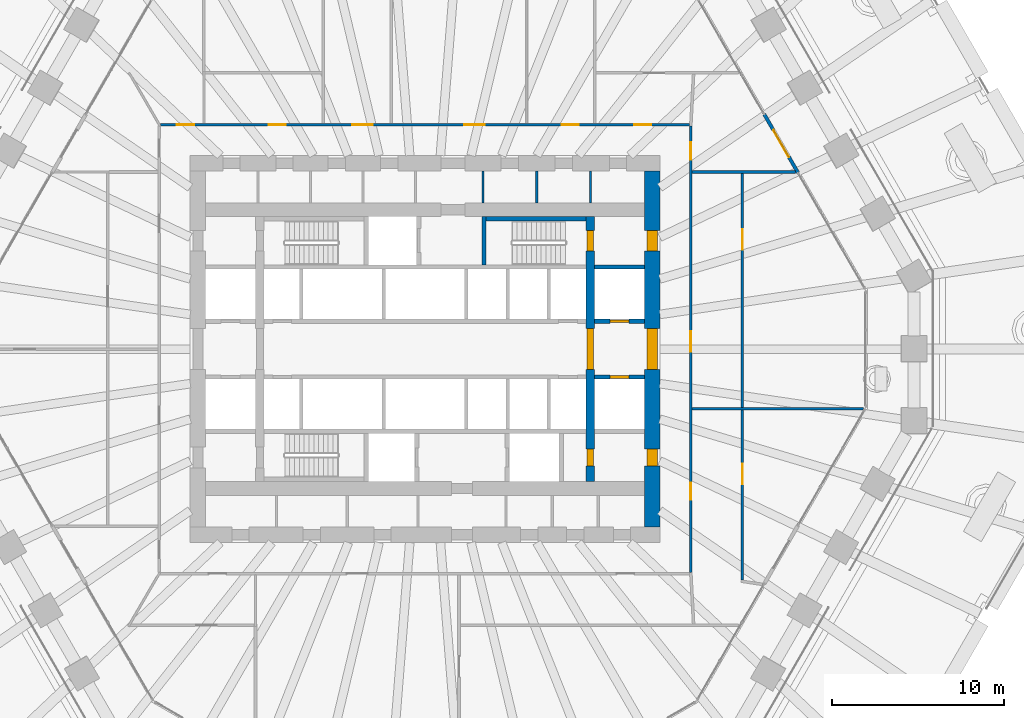
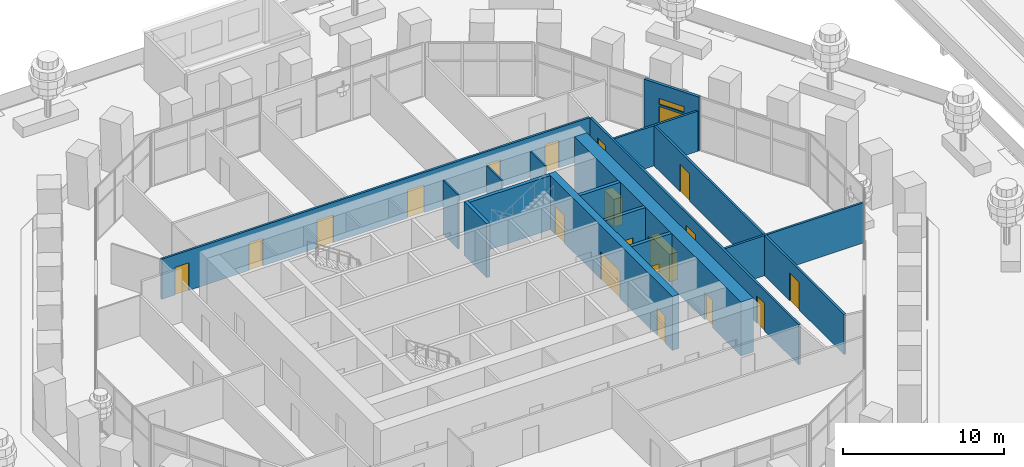
# One storey, part 25 of 32: 20 doors, 16 walls, 1 window, 21 openings.
"""IFC4 building model written with IfcOpenShell, lengths in metres."""

from ifc_helpers import new_model, si_unit, direction, frame, frame_2d, origin, place, context, subcontext, project, spatial, rectangle, extrude, material, layer, layer_set, type_object, element, fill, save


model = new_model("IFC4")

# Units and contexts
model_context = context("Model", 3, precision=1e-05, world=origin(), true_north=direction((0.0, 1.0)))
body_context = subcontext(model_context, "Body", "Model", "MODEL_VIEW")
ifc_project = project(units=[si_unit("LENGTHUNIT", "METRE"), si_unit("AREAUNIT", "SQUARE_METRE"), si_unit("VOLUMEUNIT", "CUBIC_METRE"), si_unit("PLANEANGLEUNIT", "RADIAN"), si_unit("MASSUNIT", "GRAM", prefix="KILO")], contexts=[model_context])

# Site, building, storey
site_placement = place(None, origin())
site = spatial("IfcSite", under=ifc_project, at=site_placement, CompositionType="ELEMENT")
building_placement = place(site_placement, origin())
building = spatial("IfcBuilding", under=site, at=building_placement, Name="Frailejon Research Tower", CompositionType="ELEMENT")
storey_placement = place(building_placement, frame((0.0, 0.0, 14.60009765625)))
storey = spatial("IfcBuildingStorey", under=building, at=storey_placement, Name="L03", CompositionType="ELEMENT", Elevation=14.60009765625)

# Walls
ifc_material_1 = material(Name="Plasterboard on steel studs", Category="steel")
ifc_layer_1 = layer(ifc_material_1, 0.125)
ifc_layer_set_1 = layer_set([ifc_layer_1], Name="Core partition 125")
wall_type_1 = type_object("IfcWallType", Name="Core partition 125", PredefinedType="PARTITIONING", material=ifc_layer_set_1)
for number, where, z_axis, x_axis, name in (
    (1, (3.362548828125, 8.5, 0.0), (0.0, 0.0, 1.0), (0.0, 1.0, 0.0), "Core partition"),
    (2, (6.49169921875, 8.5, 0.0), (0.0, 0.0, 1.0), (0.0, 1.0, 0.0), "Core partition"),
    (3, (9.620849609375, 8.5, 0.0), (0.0, 0.0, 1.0), (0.0, 1.0, 0.0), "Core partition"),
):
    element("IfcWall", number, at=place(storey_placement, frame(where, z_axis=z_axis, x_axis=x_axis)), inside=storey, type_object=wall_type_1, Name=name, PredefinedType="PARTITIONING", context=body_context, shape_type="SweptSolid", body=[
        extrude(rectangle(XDim=1.85009765625, YDim=0.125, at=frame_2d((0.925048828125, 0.0))), origin(), (0.0, 0.0, 1.0), 4.099853515625),
    ])

# Wall, openings, doors
ifc_material_2 = material(Name="Concrete C70/85", Category="concrete")
ifc_layer_2 = layer(ifc_material_2, 0.5)
ifc_layer_set_2 = layer_set([ifc_layer_2], Name="Core shear wall 500 C70/85")
wall_type_2 = type_object("IfcWallType", Name="Core shear wall 500 C70/85", PredefinedType="SHEAR", material=ifc_layer_set_2)
wall_1_placement = place(storey_placement, frame((9.60009765625, -7.699951171875, 0.0), z_axis=(0.0, 0.0, 1.0), x_axis=(0.0, 1.0, 0.0)))
wall_1 = element("IfcWall", 4, at=wall_1_placement, inside=storey, type_object=wall_type_2, Name="Core shear wall", PredefinedType="SHEAR", context=body_context, shape_type="SweptSolid", body=[
    extrude(rectangle(XDim=15.39990234375, YDim=0.5, at=frame_2d((7.699951171875, 0.0))), origin(), (0.0, 0.0, 1.0), 4.099853515625),
])
opening_1_placement = place(wall_1_placement, frame((6.5, 0.0, 0.0)))
opening_1 = element("IfcOpeningElement", 5, at=opening_1_placement, cuts=wall_1, Name="Opening D2", PredefinedType="OPENING", context=body_context, shape_type="SweptSolid", body=[
    extrude(rectangle(XDim=2.39990234375, YDim=2.10009765625, at=frame_2d((1.199951171875, 1.050048828125))), frame((0.0, 0.260009765625, 0.0), z_axis=(0.0, -1.0, 0.0), x_axis=(1.0, 0.0, 0.0)), (0.0, 0.0, 1.0), 0.52001953125),
])
opening_2_placement = place(wall_1_placement, frame((13.39990234375, 0.0, 0.0)))
opening_2 = element("IfcOpeningElement", 6, at=opening_2_placement, cuts=wall_1, Name="Opening D1", PredefinedType="OPENING", context=body_context, shape_type="SweptSolid", body=[
    extrude(rectangle(XDim=1.199951171875, YDim=2.10009765625, at=frame_2d((0.60009765625, 1.050048828125))), frame((0.0, 0.260009765625, 0.0), z_axis=(0.0, -1.0, 0.0), x_axis=(1.0, 0.0, 0.0)), (0.0, 0.0, 1.0), 0.52001953125),
])
opening_3_placement = place(wall_1_placement, frame((0.89990234375, 0.0, 0.0)))
opening_3 = element("IfcOpeningElement", 7, at=opening_3_placement, cuts=wall_1, Name="Opening D4", PredefinedType="OPENING", context=body_context, shape_type="SweptSolid", body=[
    extrude(rectangle(XDim=1.0, YDim=2.10009765625, at=frame_2d((0.5, 1.050048828125))), frame((0.0, 0.260009765625, 0.0), z_axis=(0.0, -1.0, 0.0), x_axis=(1.0, 0.0, 0.0)), (0.0, 0.0, 1.0), 0.52001953125),
])
ifc_material_3 = material(Name="Steel", Category="steel")
door_type_1 = type_object("IfcDoorType", Name="Lobby double door", OperationType="DOUBLE_DOOR_SINGLE_SWING", PredefinedType="DOOR", material=ifc_material_3)
door_1_placement = place(opening_1_placement, origin())
door_1 = element("IfcDoor", 8, at=door_1_placement, inside=storey, type_object=door_type_1, Name="Lobby door", OperationType="DOUBLE_DOOR_SINGLE_SWING", OverallHeight=2.10009765625, OverallWidth=2.39990234375, PredefinedType="DOOR", context=body_context, shape_type="SweptSolid", body=[
    extrude(rectangle(XDim=2.39990234375, YDim=2.10009765625, at=frame_2d((1.199951171875, 1.050048828125))), frame((0.0, 0.199951171875, 0.0), z_axis=(0.0, -1.0, 0.0), x_axis=(1.0, 0.0, 0.0)), (0.0, 0.0, 1.0), 0.39990234375),
])
fill(opening_1, door_1)
ifc_material_4 = material(Name="Steel", Category="steel")
door_type_2 = type_object("IfcDoorType", Name="Service door", OperationType="SINGLE_SWING_LEFT", PredefinedType="DOOR", material=ifc_material_4)
door_2_placement = place(opening_3_placement, origin())
door_2 = element("IfcDoor", 9, at=door_2_placement, inside=storey, type_object=door_type_2, Name="Riser door", OperationType="SINGLE_SWING_LEFT", OverallHeight=2.10009765625, OverallWidth=1.0, PredefinedType="DOOR", context=body_context, shape_type="SweptSolid", body=[
    extrude(rectangle(XDim=1.0, YDim=2.10009765625, at=frame_2d((0.5, 1.050048828125))), frame((0.0, 0.199951171875, 0.0), z_axis=(0.0, -1.0, 0.0), x_axis=(1.0, 0.0, 0.0)), (0.0, 0.0, 1.0), 0.39990234375),
])
fill(opening_3, door_2)
ifc_material_5 = material(Name="Steel", Category="steel")
door_type_3 = type_object("IfcDoorType", Name="Stair door", OperationType="SINGLE_SWING_LEFT", PredefinedType="DOOR", material=ifc_material_5)
door_3_placement = place(opening_2_placement, origin())
door_3 = element("IfcDoor", 10, at=door_3_placement, inside=storey, type_object=door_type_3, Name="Stair door ST3", OperationType="SINGLE_SWING_LEFT", OverallHeight=2.10009765625, OverallWidth=1.199951171875, PredefinedType="DOOR", context=body_context, shape_type="SweptSolid", body=[
    extrude(rectangle(XDim=1.199951171875, YDim=2.10009765625, at=frame_2d((0.60009765625, 1.050048828125))), frame((0.0, 0.199951171875, 0.0), z_axis=(0.0, -1.0, 0.0), x_axis=(1.0, 0.0, 0.0)), (0.0, 0.0, 1.0), 0.39990234375),
])
fill(opening_2, door_3)

ifc_material_6 = material(Name="Concrete C70/85", Category="concrete")
ifc_layer_3 = layer(ifc_material_6, 0.89990234375)
ifc_layer_set_3 = layer_set([ifc_layer_3], Name="Core shear wall 900 C70/85")
wall_type_3 = type_object("IfcWallType", Name="Core shear wall 900 C70/85", PredefinedType="SHEAR", material=ifc_layer_set_3)
wall_2_placement = place(storey_placement, frame((13.199951171875, -10.35009765625, 0.0), z_axis=(0.0, 0.0, 1.0), x_axis=(0.0, 1.0, 0.0)))
wall_2 = element("IfcWall", 11, at=wall_2_placement, inside=storey, type_object=wall_type_3, Name="Core shear wall", PredefinedType="SHEAR", context=body_context, shape_type="SweptSolid", body=[
    extrude(rectangle(XDim=20.7001953125, YDim=0.89990234375, at=frame_2d((10.35009765625, 0.0))), origin(), (0.0, 0.0, 1.0), 4.099853515625),
])
opening_4_placement = place(wall_2_placement, frame((9.14990234375, 0.0, 0.0)))
opening_4 = element("IfcOpeningElement", 12, at=opening_4_placement, cuts=wall_2, Name="Opening D2", PredefinedType="OPENING", context=body_context, shape_type="SweptSolid", body=[
    extrude(rectangle(XDim=2.39990234375, YDim=2.10009765625, at=frame_2d((1.199951171875, 1.050048828125))), frame((0.0, 0.4599609375, 0.0), z_axis=(0.0, -1.0, 0.0), x_axis=(1.0, 0.0, 0.0)), (0.0, 0.0, 1.0), 0.919921875),
])
opening_5_placement = place(wall_2_placement, frame((16.050048828125, 0.0, 0.0)))
opening_5 = element("IfcOpeningElement", 13, at=opening_5_placement, cuts=wall_2, Name="Opening D7", PredefinedType="OPENING", context=body_context, shape_type="SweptSolid", body=[
    extrude(rectangle(XDim=1.199951171875, YDim=2.10009765625, at=frame_2d((0.60009765625, 1.050048828125))), frame((0.0, 0.4599609375, 0.0), z_axis=(0.0, -1.0, 0.0), x_axis=(1.0, 0.0, 0.0)), (0.0, 0.0, 1.0), 0.919921875),
])
opening_6_placement = place(wall_2_placement, frame((3.550048828125, 0.0, 0.0)))
opening_6 = element("IfcOpeningElement", 14, at=opening_6_placement, cuts=wall_2, Name="Opening D4", PredefinedType="OPENING", context=body_context, shape_type="SweptSolid", body=[
    extrude(rectangle(XDim=1.0, YDim=2.10009765625, at=frame_2d((0.5, 1.050048828125))), frame((0.0, 0.4599609375, 0.0), z_axis=(0.0, -1.0, 0.0), x_axis=(1.0, 0.0, 0.0)), (0.0, 0.0, 1.0), 0.919921875),
])
door_4_placement = place(opening_4_placement, origin())
door_4 = element("IfcDoor", 15, at=door_4_placement, inside=storey, type_object=door_type_1, Name="Lobby door", OperationType="DOUBLE_DOOR_SINGLE_SWING", OverallHeight=2.10009765625, OverallWidth=2.39990234375, PredefinedType="DOOR", context=body_context, shape_type="SweptSolid", body=[
    extrude(rectangle(XDim=2.39990234375, YDim=2.10009765625, at=frame_2d((1.199951171875, 1.050048828125))), frame((0.0, 0.300048828125, 0.0), z_axis=(0.0, -1.0, 0.0), x_axis=(1.0, 0.0, 0.0)), (0.0, 0.0, 1.0), 0.60009765625),
])
fill(opening_4, door_4)
door_5_placement = place(opening_6_placement, origin())
door_5 = element("IfcDoor", 16, at=door_5_placement, inside=storey, type_object=door_type_2, Name="Store door", OperationType="SINGLE_SWING_RIGHT", OverallHeight=2.10009765625, OverallWidth=1.0, PredefinedType="DOOR", context=body_context, shape_type="SweptSolid", body=[
    extrude(rectangle(XDim=1.0, YDim=2.10009765625, at=frame_2d((0.5, 1.050048828125))), frame((0.0, 0.300048828125, 0.0), z_axis=(0.0, -1.0, 0.0), x_axis=(1.0, 0.0, 0.0)), (0.0, 0.0, 1.0), 0.60009765625),
])
fill(opening_6, door_5)
ifc_material_7 = material(Name="Steel", Category="steel")
door_type_4 = type_object("IfcDoorType", Name="Stair exit door", OperationType="SINGLE_SWING_LEFT", PredefinedType="DOOR", material=ifc_material_7)
door_6_placement = place(opening_5_placement, origin())
door_6 = element("IfcDoor", 17, at=door_6_placement, inside=storey, type_object=door_type_4, Name="Stair exit door ST3", OperationType="SINGLE_SWING_RIGHT", OverallHeight=2.10009765625, OverallWidth=1.199951171875, PredefinedType="DOOR", context=body_context, shape_type="SweptSolid", body=[
    extrude(rectangle(XDim=1.199951171875, YDim=2.10009765625, at=frame_2d((0.60009765625, 1.050048828125))), frame((0.0, 0.300048828125, 0.0), z_axis=(0.0, -1.0, 0.0), x_axis=(1.0, 0.0, 0.0)), (0.0, 0.0, 1.0), 0.60009765625),
])
fill(opening_5, door_6)

ifc_material_8 = material(Name="Gypsum board and masonry partition", Category="masonry")
ifc_layer_4 = layer(ifc_material_8, 0.14990234375)
ifc_layer_set_4 = layer_set([ifc_layer_4], Name="Corridor wall EI 60, gypsum on steel studs 150")
wall_type_4 = type_object("IfcWallType", Name="Corridor wall EI 60, gypsum on steel studs 150", PredefinedType="PARTITIONING", material=ifc_layer_set_4)
wall_3_placement = place(storey_placement, frame((15.449951171875, -12.97509765625, 0.0), z_axis=(0.0, 0.0, 1.0), x_axis=(0.0, 1.0, 0.0)))
wall_3 = element("IfcWall", 18, at=wall_3_placement, inside=storey, type_object=wall_type_4, Name="T:IW:L03:001", PredefinedType="PARTITIONING", context=body_context, shape_type="SweptSolid", body=[
    extrude(rectangle(XDim=25.9501953125, YDim=0.14990234375, at=frame_2d((12.97509765625, 0.0))), origin(), (0.0, 0.0, 1.0), 3.0498046875),
])
opening_7_placement = place(wall_3_placement, frame((12.8251953125, 0.0, 0.0)))
opening_7 = element("IfcOpeningElement", 19, at=opening_7_placement, cuts=wall_3, Name="Opening D1220", PredefinedType="OPENING", context=body_context, shape_type="SweptSolid", body=[
    extrude(rectangle(XDim=1.199951171875, YDim=2.10009765625, at=frame_2d((0.60009765625, 1.050048828125))), frame((0.0, 0.0849609375, 0.0), z_axis=(0.0, -1.0, 0.0), x_axis=(1.0, 0.0, 0.0)), (0.0, 0.0, 1.0), 0.169921875),
])
opening_8_placement = place(wall_3_placement, frame((23.98779296875, 0.0, 0.0)))
opening_8 = element("IfcOpeningElement", 20, at=opening_8_placement, cuts=wall_3, Name="Opening D1221", PredefinedType="OPENING", context=body_context, shape_type="SweptSolid", body=[
    extrude(rectangle(XDim=1.0, YDim=2.10009765625, at=frame_2d((0.5, 1.050048828125))), frame((0.0, 0.0849609375, 0.0), z_axis=(0.0, -1.0, 0.0), x_axis=(1.0, 0.0, 0.0)), (0.0, 0.0, 1.0), 0.169921875),
])
opening_9_placement = place(wall_3_placement, frame((4.218017578125, 0.0, 0.0)))
opening_9 = element("IfcOpeningElement", 21, at=opening_9_placement, cuts=wall_3, Name="Opening D1241", PredefinedType="OPENING", context=body_context, shape_type="SweptSolid", body=[
    extrude(rectangle(XDim=1.0, YDim=2.10009765625, at=frame_2d((0.5, 1.050048828125))), frame((0.0, 0.0849609375, 0.0), z_axis=(0.0, -1.0, 0.0), x_axis=(1.0, 0.0, 0.0)), (0.0, 0.0, 1.0), 0.169921875),
])
ifc_material_9 = material(Name="Timber door leaf", Category="wood")
door_type_5 = type_object("IfcDoorType", Name="Door laboratory, timber, vision panel 1200", OperationType="NOTDEFINED", PredefinedType="DOOR", material=ifc_material_9)
door_7_placement = place(opening_7_placement, origin())
door_7 = element("IfcDoor", 22, at=door_7_placement, inside=storey, type_object=door_type_5, Name="D1220", OperationType="DOUBLE_DOOR_SINGLE_SWING", OverallHeight=2.10009765625, OverallWidth=1.199951171875, PredefinedType="DOOR", context=body_context, shape_type="SweptSolid", body=[
    extrude(rectangle(XDim=1.199951171875, YDim=2.10009765625, at=frame_2d((0.60009765625, 1.050048828125))), frame((0.0, 0.02490234375, 0.0), z_axis=(0.0, -1.0, 0.0), x_axis=(1.0, 0.0, 0.0)), (0.0, 0.0, 1.0), 0.050048828125),
])
fill(opening_7, door_7)
ifc_material_10 = material(Name="Timber door leaf", Category="wood")
door_type_6 = type_object("IfcDoorType", Name="Door single leaf, timber, steel frame 1000", OperationType="NOTDEFINED", PredefinedType="DOOR", material=ifc_material_10)
door_8_placement = place(opening_8_placement, origin())
door_8 = element("IfcDoor", 23, at=door_8_placement, inside=storey, type_object=door_type_6, Name="D1221", OperationType="SINGLE_SWING_RIGHT", OverallHeight=2.10009765625, OverallWidth=1.0, PredefinedType="DOOR", context=body_context, shape_type="SweptSolid", body=[
    extrude(rectangle(XDim=1.0, YDim=2.10009765625, at=frame_2d((0.5, 1.050048828125))), frame((0.0, 0.02490234375, 0.0), z_axis=(0.0, -1.0, 0.0), x_axis=(1.0, 0.0, 0.0)), (0.0, 0.0, 1.0), 0.050048828125),
])
fill(opening_8, door_8)
door_9_placement = place(opening_9_placement, origin())
door_9 = element("IfcDoor", 24, at=door_9_placement, inside=storey, type_object=door_type_6, Name="D1241", OperationType="SINGLE_SWING_LEFT", OverallHeight=2.10009765625, OverallWidth=1.0, PredefinedType="DOOR", context=body_context, shape_type="SweptSolid", body=[
    extrude(rectangle(XDim=1.0, YDim=2.10009765625, at=frame_2d((0.5, 1.050048828125))), frame((0.0, 0.02490234375, 0.0), z_axis=(0.0, -1.0, 0.0), x_axis=(1.0, 0.0, 0.0)), (0.0, 0.0, 1.0), 0.050048828125),
])
fill(opening_9, door_9)

wall_4_placement = place(storey_placement, frame((-15.375, 13.050048828125, 0.0), z_axis=(0.0, 0.0, 1.0), x_axis=(1.0, 0.0, 0.0)))
wall_4 = element("IfcWall", 25, at=wall_4_placement, inside=storey, type_object=wall_type_4, Name="T:IW:L03:002", PredefinedType="PARTITIONING", context=body_context, shape_type="SweptSolid", body=[
    extrude(rectangle(XDim=30.75, YDim=0.14990234375, at=frame_2d((15.375, 0.0))), origin(), (0.0, 0.0, 1.0), 3.0498046875),
])
opening_10_placement = place(wall_4_placement, frame((27.5283203125, 0.0, 0.0)))
opening_10 = element("IfcOpeningElement", 26, at=opening_10_placement, cuts=wall_4, Name="Opening D1222", PredefinedType="OPENING", context=body_context, shape_type="SweptSolid", body=[
    extrude(rectangle(XDim=1.0, YDim=2.10009765625, at=frame_2d((0.5, 1.050048828125))), frame((0.0, 0.0849609375, 0.0), z_axis=(0.0, -1.0, 0.0), x_axis=(1.0, 0.0, 0.0)), (0.0, 0.0, 1.0), 0.169921875),
])
opening_11_placement = place(wall_4_placement, frame((23.32080078125, 0.0, 0.0)))
opening_11 = element("IfcOpeningElement", 27, at=opening_11_placement, cuts=wall_4, Name="Opening D1224", PredefinedType="OPENING", context=body_context, shape_type="SweptSolid", body=[
    extrude(rectangle(XDim=1.0, YDim=2.10009765625, at=frame_2d((0.5, 1.050048828125))), frame((0.0, 0.0849609375, 0.0), z_axis=(0.0, -1.0, 0.0), x_axis=(1.0, 0.0, 0.0)), (0.0, 0.0, 1.0), 0.169921875),
])
opening_12_placement = place(wall_4_placement, frame((17.64404296875, 0.0, 0.0)))
opening_12 = element("IfcOpeningElement", 28, at=opening_12_placement, cuts=wall_4, Name="Opening D1225", PredefinedType="OPENING", context=body_context, shape_type="SweptSolid", body=[
    extrude(rectangle(XDim=1.199951171875, YDim=2.10009765625, at=frame_2d((0.60009765625, 1.050048828125))), frame((0.0, 0.0849609375, 0.0), z_axis=(0.0, -1.0, 0.0), x_axis=(1.0, 0.0, 0.0)), (0.0, 0.0, 1.0), 0.169921875),
])
opening_13_placement = place(wall_4_placement, frame((11.138916015625, 0.0, 0.0)))
opening_13 = element("IfcOpeningElement", 29, at=opening_13_placement, cuts=wall_4, Name="Opening D1226", PredefinedType="OPENING", context=body_context, shape_type="SweptSolid", body=[
    extrude(rectangle(XDim=1.199951171875, YDim=2.10009765625, at=frame_2d((0.60009765625, 1.050048828125))), frame((0.0, 0.0849609375, 0.0), z_axis=(0.0, -1.0, 0.0), x_axis=(1.0, 0.0, 0.0)), (0.0, 0.0, 1.0), 0.169921875),
])
opening_14_placement = place(wall_4_placement, frame((6.2763671875, 0.0, 0.0)))
opening_14 = element("IfcOpeningElement", 30, at=opening_14_placement, cuts=wall_4, Name="Opening D1228", PredefinedType="OPENING", context=body_context, shape_type="SweptSolid", body=[
    extrude(rectangle(XDim=1.0, YDim=2.10009765625, at=frame_2d((0.5, 1.050048828125))), frame((0.0, 0.0849609375, 0.0), z_axis=(0.0, -1.0, 0.0), x_axis=(1.0, 0.0, 0.0)), (0.0, 0.0, 1.0), 0.169921875),
])
opening_15_placement = place(wall_4_placement, frame((0.9453125, 0.0, 0.0)))
opening_15 = element("IfcOpeningElement", 31, at=opening_15_placement, cuts=wall_4, Name="Opening D1229", PredefinedType="OPENING", context=body_context, shape_type="SweptSolid", body=[
    extrude(rectangle(XDim=1.0, YDim=2.10009765625, at=frame_2d((0.5, 1.050048828125))), frame((0.0, 0.0849609375, 0.0), z_axis=(0.0, -1.0, 0.0), x_axis=(1.0, 0.0, 0.0)), (0.0, 0.0, 1.0), 0.169921875),
])
ifc_material_11 = material(Name="Timber door leaf", Category="wood")
door_type_7 = type_object("IfcDoorType", Name="Door laboratory, timber, vision panel 1000", OperationType="NOTDEFINED", PredefinedType="DOOR", material=ifc_material_11)
door_10_placement = place(opening_10_placement, origin())
door_10 = element("IfcDoor", 32, at=door_10_placement, inside=storey, type_object=door_type_7, Name="D1222", OperationType="SINGLE_SWING_LEFT", OverallHeight=2.10009765625, OverallWidth=1.0, PredefinedType="DOOR", context=body_context, shape_type="SweptSolid", body=[
    extrude(rectangle(XDim=1.0, YDim=2.10009765625, at=frame_2d((0.5, 1.050048828125))), frame((0.0, 0.02490234375, 0.0), z_axis=(0.0, -1.0, 0.0), x_axis=(1.0, 0.0, 0.0)), (0.0, 0.0, 1.0), 0.050048828125),
])
fill(opening_10, door_10)
door_11_placement = place(opening_13_placement, origin())
door_11 = element("IfcDoor", 33, at=door_11_placement, inside=storey, type_object=door_type_5, Name="D1226", OperationType="DOUBLE_DOOR_SINGLE_SWING", OverallHeight=2.10009765625, OverallWidth=1.199951171875, PredefinedType="DOOR", context=body_context, shape_type="SweptSolid", body=[
    extrude(rectangle(XDim=1.199951171875, YDim=2.10009765625, at=frame_2d((0.60009765625, 1.050048828125))), frame((0.0, 0.02490234375, 0.0), z_axis=(0.0, -1.0, 0.0), x_axis=(1.0, 0.0, 0.0)), (0.0, 0.0, 1.0), 0.050048828125),
])
fill(opening_13, door_11)
door_12_placement = place(opening_11_placement, origin())
door_12 = element("IfcDoor", 34, at=door_12_placement, inside=storey, type_object=door_type_6, Name="D1224", OperationType="SINGLE_SWING_RIGHT", OverallHeight=2.10009765625, OverallWidth=1.0, PredefinedType="DOOR", context=body_context, shape_type="SweptSolid", body=[
    extrude(rectangle(XDim=1.0, YDim=2.10009765625, at=frame_2d((0.5, 1.050048828125))), frame((0.0, 0.02490234375, 0.0), z_axis=(0.0, -1.0, 0.0), x_axis=(1.0, 0.0, 0.0)), (0.0, 0.0, 1.0), 0.050048828125),
])
fill(opening_11, door_12)
door_13_placement = place(opening_14_placement, origin())
door_13 = element("IfcDoor", 35, at=door_13_placement, inside=storey, type_object=door_type_6, Name="D1228", OperationType="SINGLE_SWING_RIGHT", OverallHeight=2.10009765625, OverallWidth=1.0, PredefinedType="DOOR", context=body_context, shape_type="SweptSolid", body=[
    extrude(rectangle(XDim=1.0, YDim=2.10009765625, at=frame_2d((0.5, 1.050048828125))), frame((0.0, 0.02490234375, 0.0), z_axis=(0.0, -1.0, 0.0), x_axis=(1.0, 0.0, 0.0)), (0.0, 0.0, 1.0), 0.050048828125),
])
fill(opening_14, door_13)
door_14_placement = place(opening_15_placement, origin())
door_14 = element("IfcDoor", 36, at=door_14_placement, inside=storey, type_object=door_type_6, Name="D1229", OperationType="SINGLE_SWING_RIGHT", OverallHeight=2.10009765625, OverallWidth=1.0, PredefinedType="DOOR", context=body_context, shape_type="SweptSolid", body=[
    extrude(rectangle(XDim=1.0, YDim=2.10009765625, at=frame_2d((0.5, 1.050048828125))), frame((0.0, 0.02490234375, 0.0), z_axis=(0.0, -1.0, 0.0), x_axis=(1.0, 0.0, 0.0)), (0.0, 0.0, 1.0), 0.050048828125),
])
fill(opening_15, door_14)
ifc_material_12 = material(Name="Timber door leaf", Category="wood")
door_type_8 = type_object("IfcDoorType", Name="Door single leaf, timber, steel frame 1200", OperationType="NOTDEFINED", PredefinedType="DOOR", material=ifc_material_12)
door_15_placement = place(opening_12_placement, origin())
door_15 = element("IfcDoor", 37, at=door_15_placement, inside=storey, type_object=door_type_8, Name="D1225", OperationType="DOUBLE_DOOR_SINGLE_SWING", OverallHeight=2.10009765625, OverallWidth=1.199951171875, PredefinedType="DOOR", context=body_context, shape_type="SweptSolid", body=[
    extrude(rectangle(XDim=1.199951171875, YDim=2.10009765625, at=frame_2d((0.60009765625, 1.050048828125))), frame((0.0, 0.02490234375, 0.0), z_axis=(0.0, -1.0, 0.0), x_axis=(1.0, 0.0, 0.0)), (0.0, 0.0, 1.0), 0.050048828125),
])
fill(opening_12, door_15)

ifc_material_13 = material(Name="Gypsum board and masonry partition", Category="masonry")
ifc_layer_5 = layer(ifc_material_13, 0.14990234375)
ifc_layer_set_5 = layer_set([ifc_layer_5], Name="Laboratory partition, blockwork 150")
wall_type_5 = type_object("IfcWallType", Name="Laboratory partition, blockwork 150", PredefinedType="PARTITIONING", material=ifc_layer_set_5)
wall_5_placement = place(storey_placement, frame((18.449951171875, -13.42822265625, 0.0), z_axis=(0.0, 0.0, 1.0), x_axis=(0.0, 1.0, 0.0)))
wall_5 = element("IfcWall", 38, at=wall_5_placement, inside=storey, type_object=wall_type_5, Name="T:IW:L03:005", PredefinedType="PARTITIONING", context=body_context, shape_type="SweptSolid", body=[
    extrude(rectangle(XDim=23.64599609375, YDim=0.14990234375, at=frame_2d((11.822998046875, 0.0))), origin(), (0.0, 0.0, 1.0), 3.0498046875),
])
opening_16_placement = place(wall_5_placement, frame((19.206787109375, 0.0, 0.0)))
opening_16 = element("IfcOpeningElement", 39, at=opening_16_placement, cuts=wall_5, Name="Opening D1219", PredefinedType="OPENING", context=body_context, shape_type="SweptSolid", body=[
    extrude(rectangle(XDim=1.199951171875, YDim=2.10009765625, at=frame_2d((0.60009765625, 1.050048828125))), frame((0.0, 0.0849609375, 0.0), z_axis=(0.0, -1.0, 0.0), x_axis=(1.0, 0.0, 0.0)), (0.0, 0.0, 1.0), 0.169921875),
])
opening_17_placement = place(wall_5_placement, frame((5.5654296875, 0.0, 0.0)))
opening_17 = element("IfcOpeningElement", 40, at=opening_17_placement, cuts=wall_5, Name="Opening D1242", PredefinedType="OPENING", context=body_context, shape_type="SweptSolid", body=[
    extrude(rectangle(XDim=1.199951171875, YDim=2.10009765625, at=frame_2d((0.60009765625, 1.050048828125))), frame((0.0, 0.0849609375, 0.0), z_axis=(0.0, -1.0, 0.0), x_axis=(1.0, 0.0, 0.0)), (0.0, 0.0, 1.0), 0.169921875),
])
door_16_placement = place(opening_16_placement, origin())
door_16 = element("IfcDoor", 41, at=door_16_placement, inside=storey, type_object=door_type_5, Name="D1219", OperationType="DOUBLE_DOOR_SINGLE_SWING", OverallHeight=2.10009765625, OverallWidth=1.199951171875, PredefinedType="DOOR", context=body_context, shape_type="SweptSolid", body=[
    extrude(rectangle(XDim=1.199951171875, YDim=2.10009765625, at=frame_2d((0.60009765625, 1.050048828125))), frame((0.0, 0.02490234375, 0.0), z_axis=(0.0, -1.0, 0.0), x_axis=(1.0, 0.0, 0.0)), (0.0, 0.0, 1.0), 0.050048828125),
])
fill(opening_16, door_16)
door_17_placement = place(opening_17_placement, origin())
door_17 = element("IfcDoor", 42, at=door_17_placement, inside=storey, type_object=door_type_5, Name="D1242", OperationType="DOUBLE_DOOR_SINGLE_SWING", OverallHeight=2.10009765625, OverallWidth=1.199951171875, PredefinedType="DOOR", context=body_context, shape_type="SweptSolid", body=[
    extrude(rectangle(XDim=1.199951171875, YDim=2.10009765625, at=frame_2d((0.60009765625, 1.050048828125))), frame((0.0, 0.02490234375, 0.0), z_axis=(0.0, -1.0, 0.0), x_axis=(1.0, 0.0, 0.0)), (0.0, 0.0, 1.0), 0.050048828125),
])
fill(opening_17, door_17)

# Walls
wall_6_placement = place(storey_placement, frame((15.52490234375, 10.292724609375, 0.0), z_axis=(0.0, 0.0, 1.0), x_axis=(1.0, 0.0, 0.0)))
element("IfcWall", 43, at=wall_6_placement, inside=storey, type_object=wall_type_5, Name="T:IW:L03:007", PredefinedType="PARTITIONING", context=body_context, shape_type="SweptSolid", body=[
    extrude(rectangle(XDim=6.014404296875, YDim=0.14990234375, at=frame_2d((3.00732421875, 0.0))), origin(), (0.0, 0.0, 1.0), 3.0498046875),
])
wall_7_placement = place(storey_placement, frame((15.52490234375, -3.464111328125, 0.0), z_axis=(0.0, 0.0, 1.0), x_axis=(1.0, 0.0, 0.0)))
element("IfcWall", 44, at=wall_7_placement, inside=storey, type_object=wall_type_5, Name="T:IW:L03:008", PredefinedType="PARTITIONING", context=body_context, shape_type="SweptSolid", body=[
    extrude(rectangle(XDim=9.95703125, YDim=0.14990234375, at=frame_2d((4.978515625, 0.0))), origin(), (0.0, 0.0, 1.0), 3.0498046875),
])

# Wall, opening, door
ifc_material_14 = material(Name="Concrete C70/85", Category="concrete")
ifc_layer_6 = layer(ifc_material_14, 0.25)
ifc_layer_set_6 = layer_set([ifc_layer_6], Name="Shaft wall 250 C70/85")
wall_type_6 = type_object("IfcWallType", Name="Shaft wall 250 C70/85", PredefinedType="SOLIDWALL", material=ifc_layer_set_6)
wall_8_placement = place(storey_placement, frame((9.85009765625, 1.625, 0.0), z_axis=(0.0, 0.0, 1.0), x_axis=(1.0, 0.0, 0.0)))
wall_8 = element("IfcWall", 45, at=wall_8_placement, inside=storey, type_object=wall_type_6, Name="Shaft wall", PredefinedType="SOLIDWALL", context=body_context, shape_type="SweptSolid", body=[
    extrude(rectangle(XDim=2.89990234375, YDim=0.25, at=frame_2d((1.449951171875, 0.0))), origin(), (0.0, 0.0, 1.0), 4.099853515625),
])
opening_18_placement = place(wall_8_placement, frame((0.89990234375, 0.0, 0.0)))
opening_18 = element("IfcOpeningElement", 46, at=opening_18_placement, cuts=wall_8, Name="Opening LD", PredefinedType="OPENING", context=body_context, shape_type="SweptSolid", body=[
    extrude(rectangle(XDim=1.10009765625, YDim=2.10009765625, at=frame_2d((0.550048828125, 1.050048828125))), frame((0.0, 0.135009765625, 0.0), z_axis=(0.0, -1.0, 0.0), x_axis=(1.0, 0.0, 0.0)), (0.0, 0.0, 1.0), 0.27001953125),
])
ifc_material_15 = material(Name="Steel", Category="steel")
door_type_9 = type_object("IfcDoorType", Name="Lift landing door", OperationType="DOUBLE_DOOR_SLIDING", PredefinedType="DOOR", material=ifc_material_15)
door_18_placement = place(opening_18_placement, origin())
door_18 = element("IfcDoor", 47, at=door_18_placement, inside=storey, type_object=door_type_9, Name="Lift landing door", OperationType="DOUBLE_DOOR_SLIDING", OverallHeight=2.10009765625, OverallWidth=1.10009765625, PredefinedType="DOOR", context=body_context, shape_type="SweptSolid", body=[
    extrude(rectangle(XDim=1.10009765625, YDim=2.10009765625, at=frame_2d((0.550048828125, 1.050048828125))), frame((0.0, 0.074951171875, 0.0), z_axis=(0.0, -1.0, 0.0), x_axis=(1.0, 0.0, 0.0)), (0.0, 0.0, 1.0), 0.14990234375),
])
fill(opening_18, door_18)

# Wall
wall_9_placement = place(storey_placement, frame((9.85009765625, 4.77490234375, 0.0), z_axis=(0.0, 0.0, 1.0), x_axis=(1.0, 0.0, 0.0)))
element("IfcWall", 48, at=wall_9_placement, inside=storey, type_object=wall_type_6, Name="Shaft wall", PredefinedType="SOLIDWALL", context=body_context, shape_type="SweptSolid", body=[
    extrude(rectangle(XDim=2.89990234375, YDim=0.25, at=frame_2d((1.449951171875, 0.0))), origin(), (0.0, 0.0, 1.0), 4.099853515625),
])

# Wall, opening, door
wall_10_placement = place(storey_placement, frame((9.85009765625, -1.625, 0.0), z_axis=(0.0, 0.0, 1.0), x_axis=(1.0, 0.0, 0.0)))
wall_10 = element("IfcWall", 49, at=wall_10_placement, inside=storey, type_object=wall_type_6, Name="Shaft wall", PredefinedType="SOLIDWALL", context=body_context, shape_type="SweptSolid", body=[
    extrude(rectangle(XDim=2.89990234375, YDim=0.25, at=frame_2d((1.449951171875, 0.0))), origin(), (0.0, 0.0, 1.0), 4.099853515625),
])
opening_19_placement = place(wall_10_placement, frame((0.89990234375, 0.0, 0.0)))
opening_19 = element("IfcOpeningElement", 50, at=opening_19_placement, cuts=wall_10, Name="Opening LD", PredefinedType="OPENING", context=body_context, shape_type="SweptSolid", body=[
    extrude(rectangle(XDim=1.10009765625, YDim=2.10009765625, at=frame_2d((0.550048828125, 1.050048828125))), frame((0.0, 0.135009765625, 0.0), z_axis=(0.0, -1.0, 0.0), x_axis=(1.0, 0.0, 0.0)), (0.0, 0.0, 1.0), 0.27001953125),
])
door_19_placement = place(opening_19_placement, origin())
door_19 = element("IfcDoor", 51, at=door_19_placement, inside=storey, type_object=door_type_9, Name="Lift landing door", OperationType="DOUBLE_DOOR_SLIDING", OverallHeight=2.10009765625, OverallWidth=1.10009765625, PredefinedType="DOOR", context=body_context, shape_type="SweptSolid", body=[
    extrude(rectangle(XDim=1.10009765625, YDim=2.10009765625, at=frame_2d((0.550048828125, 1.050048828125))), frame((0.0, 0.074951171875, 0.0), z_axis=(0.0, -1.0, 0.0), x_axis=(1.0, 0.0, 0.0)), (0.0, 0.0, 1.0), 0.14990234375),
])
fill(opening_19, door_19)

# Walls
wall_11_placement = place(storey_placement, frame((3.550048828125, 7.574951171875, 0.0), z_axis=(0.0, 0.0, 1.0), x_axis=(1.0, 0.0, 0.0)))
element("IfcWall", 52, at=wall_11_placement, inside=storey, type_object=wall_type_6, Name="Shaft wall", PredefinedType="SOLIDWALL", context=body_context, shape_type="SweptSolid", body=[
    extrude(rectangle(XDim=5.800048828125, YDim=0.25, at=frame_2d((2.89990234375, 0.0))), origin(), (0.0, 0.0, 1.0), 4.099853515625),
])
wall_12_placement = place(storey_placement, frame((3.425048828125, 4.89990234375, 0.0), z_axis=(0.0, 0.0, 1.0), x_axis=(0.0, 1.0, 0.0)))
element("IfcWall", 53, at=wall_12_placement, inside=storey, type_object=wall_type_6, Name="Shaft wall", PredefinedType="SOLIDWALL", context=body_context, shape_type="SweptSolid", body=[
    extrude(rectangle(XDim=2.800048828125, YDim=0.25, at=frame_2d((1.39990234375, 0.0))), origin(), (0.0, 0.0, 1.0), 4.099853515625),
])

# Wall, openings, door, window
ifc_material_16 = material(Name="Concrete C40/50 precast window wall panel", Category="concrete")
ifc_layer_7 = layer(ifc_material_16, 0.199951171875)
ifc_layer_set_7 = layer_set([ifc_layer_7], Name="Window wall 200")
wall_type_7 = type_object("IfcWallType", Name="Window wall 200", PredefinedType="SOLIDWALL", material=ifc_layer_set_7)
wall_13_placement = place(storey_placement, frame((21.680908203125, 10.24755859375, 0.0), z_axis=(0.0, 0.0, 1.0), x_axis=(-0.499985832843, 0.866033583042, 0.0)))
wall_13 = element("IfcWall", 54, at=wall_13_placement, inside=storey, type_object=wall_type_7, Name="Door pier L03", PredefinedType="SOLIDWALL", context=body_context, shape_type="SweptSolid", body=[
    extrude(rectangle(XDim=3.931640625, YDim=0.199951171875, at=frame_2d((1.9658203125, 0.0))), origin(), (0.0, 0.0, 1.0), 4.099853515625),
])
opening_20_placement = place(wall_13_placement, frame((1.06591796875, 0.0, 0.0)))
opening_20 = element("IfcOpeningElement", 55, at=opening_20_placement, cuts=wall_13, Name="Opening LG03-1", PredefinedType="OPENING", context=body_context, shape_type="SweptSolid", body=[
    extrude(rectangle(XDim=1.800048828125, YDim=2.39990234375, at=frame_2d((0.89990234375, 1.199951171875))), frame((0.0, 0.10986328125, 0.0), z_axis=(0.0, -1.0, 0.0), x_axis=(1.0, 0.0, 0.0)), (0.0, 0.0, 1.0), 0.219970703125),
])
opening_21_placement = place(wall_13_placement, frame((1.06591796875, 0.0, 2.550048828125)))
opening_21 = element("IfcOpeningElement", 56, at=opening_21_placement, cuts=wall_13, Name="Opening W1", PredefinedType="OPENING", context=body_context, shape_type="SweptSolid", body=[
    extrude(rectangle(XDim=1.800048828125, YDim=0.449951171875, at=frame_2d((0.89990234375, 0.22509765625))), frame((0.0, 0.10986328125, 0.0), z_axis=(0.0, -1.0, 0.0), x_axis=(1.0, 0.0, 0.0)), (0.0, 0.0, 1.0), 0.219970703125),
])
ifc_material_17 = material(Name="Aluminium framed glazed door leaf", Category="aluminium")
door_type_10 = type_object("IfcDoorType", Name="Loggia door 1800x2400", OperationType="DOUBLE_DOOR_SINGLE_SWING", PredefinedType="DOOR", material=ifc_material_17)
door_20_placement = place(opening_20_placement, origin())
door_20 = element("IfcDoor", 57, at=door_20_placement, inside=storey, type_object=door_type_10, Name="Door LG03-1", OperationType="DOUBLE_DOOR_SINGLE_SWING", OverallHeight=2.39990234375, OverallWidth=1.800048828125, PredefinedType="DOOR", context=body_context, shape_type="SweptSolid", body=[
    extrude(rectangle(XDim=1.800048828125, YDim=2.39990234375, at=frame_2d((0.89990234375, 1.199951171875))), frame((0.0, 0.02490234375, 0.0), z_axis=(0.0, -1.0, 0.0), x_axis=(1.0, 0.0, 0.0)), (0.0, 0.0, 1.0), 0.050048828125),
])
fill(opening_20, door_20)
ifc_material_18 = material(Name="Aluminium framed double glazing", Category="aluminium")
window_type = type_object("IfcWindowType", Name="Window 1800x450", PartitioningType="SINGLE_PANEL", PredefinedType="WINDOW", material=ifc_material_18)
window_placement = place(opening_21_placement, origin())
window = element("IfcWindow", 58, at=window_placement, inside=storey, type_object=window_type, Name="Window L03", OverallHeight=0.449951171875, OverallWidth=1.800048828125, PartitioningType="SINGLE_PANEL", PredefinedType="WINDOW", context=body_context, shape_type="SweptSolid", body=[
    extrude(rectangle(XDim=1.800048828125, YDim=0.449951171875, at=frame_2d((0.89990234375, 0.22509765625))), frame((0.0, 0.030029296875, 0.0), z_axis=(0.0, -1.0, 0.0), x_axis=(1.0, 0.0, 0.0)), (0.0, 0.0, 1.0), 0.06005859375),
])
fill(opening_21, window)

save(model, "model.ifc")
